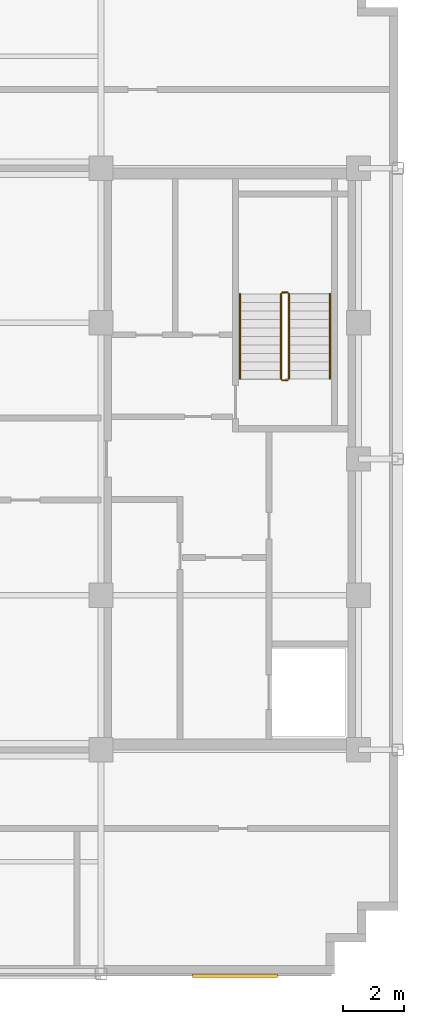
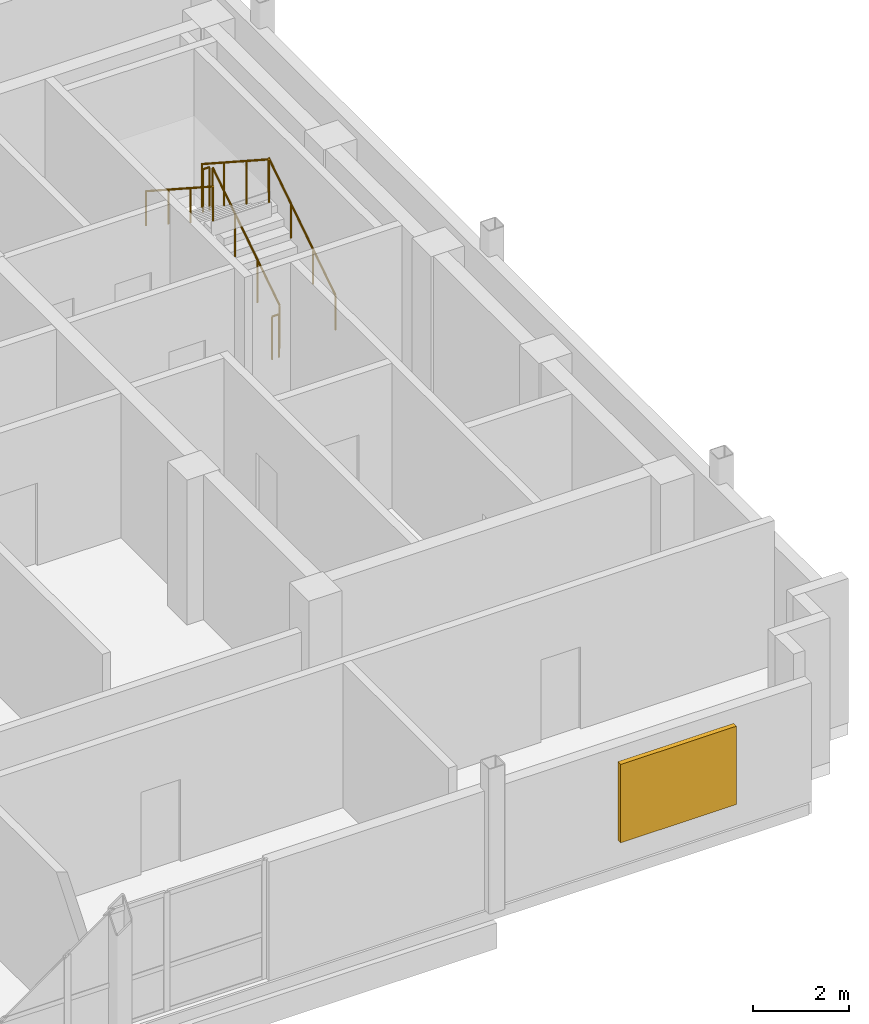
# One storey, part 9 of 10: 6 railings, 1 shading device.
"""IFC4 building model written with IfcOpenShell, lengths in metres."""

from ifc_helpers import new_model, si_unit, direction, frame, origin, origin_2d, place, context, subcontext, project, spatial, rectangle, circle, extrude, source, transform, mapped, material, type_object, type_shapes, element, save


model = new_model("IFC4")

# Units and contexts
model_context = context("Model", 3, precision=1e-05, world=origin(), true_north=direction((0.0, 1.0)))
body_context = subcontext(model_context, "Body", "Model", "MODEL_VIEW")
ifc_project = project(units=[si_unit("LENGTHUNIT", "METRE"), si_unit("AREAUNIT", "SQUARE_METRE"), si_unit("VOLUMEUNIT", "CUBIC_METRE"), si_unit("PLANEANGLEUNIT", "RADIAN"), si_unit("MASSUNIT", "GRAM", prefix="KILO")], contexts=[model_context])

# Site, building, storey
site_placement = place(None, origin())
site = spatial("IfcSite", under=ifc_project, at=site_placement, CompositionType="ELEMENT")
building_placement = place(site_placement, origin())
building = spatial("IfcBuilding", under=site, at=building_placement, Name="Nuvemarco Arch Tower", CompositionType="ELEMENT")
storey_placement = place(building_placement, frame((0.0, 0.0, 303.14990234375)))
storey = spatial("IfcBuildingStorey", under=building, at=storey_placement, Name="L80", CompositionType="ELEMENT", Elevation=303.14990234375)

# Railings
ifc_material_1 = material(Name="Brushed stainless steel handrail", Category="steel")
railing_type_1 = type_object("IfcRailingType", Name="RL-HANDRAIL-900", PredefinedType="HANDRAIL", material=ifc_material_1)
railing_1_placement = place(storey_placement, frame((16.550048828125, 2.64990234375, 0.181884765625)))
element("IfcRailing", 1, at=railing_1_placement, inside=storey, type_object=railing_type_1, Name="L80 ST-2 stair handrail 1", PredefinedType="HANDRAIL", context=body_context, shape_type="SweptSolid", body=[
    extrude(circle(Radius=0.02392578125, at=origin_2d()), frame((0.0, 0.0, 0.8759765625), z_axis=(0.0, 0.838705829183, 0.544584733623), x_axis=(-1.0, 0.0, 0.0)), (0.0, 0.0, 1.0), 3.338623046875),
    extrude(circle(Radius=0.02099609375, at=origin_2d()), origin(), (0.0, 0.0, 1.0), 0.851806640625),
    extrude(circle(Radius=0.02099609375, at=origin_2d()), frame((0.0, 0.933349609375, 0.60595703125)), (0.0, 0.0, 1.0), 0.851806640625),
    extrude(circle(Radius=0.02099609375, at=origin_2d()), frame((0.0, 1.86669921875, 1.212158203125)), (0.0, 0.0, 1.0), 0.851806640625),
    extrude(circle(Radius=0.02099609375, at=origin_2d()), frame((0.0, 2.800048828125, 1.818115234375)), (0.0, 0.0, 1.0), 0.851806640625),
])
railing_2_placement = place(storey_placement, frame((13.590087890625, 5.449951171875, 2.181884765625)))
element("IfcRailing", 2, at=railing_2_placement, inside=storey, type_object=railing_type_1, Name="L80 ST-2 stair handrail 2", PredefinedType="HANDRAIL", context=body_context, shape_type="SweptSolid", body=[
    extrude(circle(Radius=0.02392578125, at=origin_2d()), frame((0.0, 0.0, 0.8759765625), z_axis=(0.0, -0.838705829183, 0.544584733623), x_axis=(1.0, 0.0, 0.0)), (0.0, 0.0, 1.0), 3.338623046875),
    extrude(circle(Radius=0.02099609375, at=origin_2d()), origin(), (0.0, 0.0, 1.0), 0.851806640625),
    extrude(circle(Radius=0.02099609375, at=origin_2d()), frame((0.0, -0.933349609375, 0.60595703125)), (0.0, 0.0, 1.0), 0.851806640625),
    extrude(circle(Radius=0.02099609375, at=origin_2d()), frame((0.0, -1.86669921875, 1.212158203125)), (0.0, 0.0, 1.0), 0.851806640625),
    extrude(circle(Radius=0.02099609375, at=origin_2d()), frame((0.0, -2.800048828125, 1.818115234375)), (0.0, 0.0, 1.0), 0.851806640625),
])
ifc_material_2 = material(Name="Painted balustrade steel S355", Category="steel")
railing_type_2 = type_object("IfcRailingType", Name="RL-STAIR-GUARD", PredefinedType="GUARDRAIL", material=ifc_material_2)
railing_3_placement = place(storey_placement, frame((15.199951171875, 2.64990234375, 0.181884765625)))
element("IfcRailing", 3, at=railing_3_placement, inside=storey, type_object=railing_type_2, Name="L80 ST-2 stair guard 1", PredefinedType="GUARDRAIL", context=body_context, shape_type="SweptSolid", body=[
    extrude(circle(Radius=0.02392578125, at=origin_2d()), frame((0.0, 0.0, 1.09619140625), z_axis=(0.0, 0.838705829183, 0.544584733623), x_axis=(-1.0, 0.0, 0.0)), (0.0, 0.0, 1.0), 3.338623046875),
    extrude(circle(Radius=0.02099609375, at=origin_2d()), origin(), (0.0, 0.0, 1.0), 1.072021484375),
    extrude(circle(Radius=0.02099609375, at=origin_2d()), frame((0.0, 0.933349609375, 0.60595703125)), (0.0, 0.0, 1.0), 1.072021484375),
    extrude(circle(Radius=0.02099609375, at=origin_2d()), frame((0.0, 1.86669921875, 1.212158203125)), (0.0, 0.0, 1.0), 1.072021484375),
    extrude(circle(Radius=0.02099609375, at=origin_2d()), frame((0.0, 2.800048828125, 1.818115234375)), (0.0, 0.0, 1.0), 1.072021484375),
])
railing_4_placement = place(storey_placement, frame((15.14990234375, 5.5, 2.0)))
element("IfcRailing", 4, at=railing_4_placement, inside=storey, type_object=railing_type_2, Name="L80 ST-2 stair guard 2", PredefinedType="GUARDRAIL", context=body_context, shape_type="SweptSolid", body=[
    extrude(circle(Radius=0.02392578125, at=origin_2d()), frame((0.0, 0.0, 1.09619140625), z_axis=(-1.0, 0.0, 0.0), x_axis=(0.0, -1.0, 0.0)), (0.0, 0.0, 1.0), 0.159912109375),
    extrude(circle(Radius=0.02099609375, at=origin_2d()), origin(), (0.0, 0.0, 1.0), 1.072021484375),
    extrude(circle(Radius=0.02099609375, at=origin_2d()), frame((-0.159912109375, 0.0, 0.0)), (0.0, 0.0, 1.0), 1.072021484375),
])
railing_5_placement = place(storey_placement, frame((14.93994140625, 5.449951171875, 2.181884765625)))
element("IfcRailing", 5, at=railing_5_placement, inside=storey, type_object=railing_type_2, Name="L80 ST-2 stair guard 3", PredefinedType="GUARDRAIL", context=body_context, shape_type="SweptSolid", body=[
    extrude(circle(Radius=0.02392578125, at=origin_2d()), frame((0.0, 0.0, 1.09619140625), z_axis=(0.0, -0.838705829183, 0.544584733623), x_axis=(1.0, 0.0, 0.0)), (0.0, 0.0, 1.0), 3.338623046875),
    extrude(circle(Radius=0.02099609375, at=origin_2d()), origin(), (0.0, 0.0, 1.0), 1.072021484375),
    extrude(circle(Radius=0.02099609375, at=origin_2d()), frame((0.0, -0.933349609375, 0.60595703125)), (0.0, 0.0, 1.0), 1.072021484375),
    extrude(circle(Radius=0.02099609375, at=origin_2d()), frame((0.0, -1.86669921875, 1.212158203125)), (0.0, 0.0, 1.0), 1.072021484375),
    extrude(circle(Radius=0.02099609375, at=origin_2d()), frame((0.0, -2.800048828125, 1.818115234375)), (0.0, 0.0, 1.0), 1.072021484375),
])
railing_6_placement = place(storey_placement, frame((15.14990234375, 2.60009765625, 0.0)))
element("IfcRailing", 6, at=railing_6_placement, inside=storey, type_object=railing_type_2, Name="L80 ST-2 stair guard 4", PredefinedType="GUARDRAIL", context=body_context, shape_type="SweptSolid", body=[
    extrude(circle(Radius=0.02392578125, at=origin_2d()), frame((0.0, 0.0, 1.09619140625), z_axis=(-1.0, 0.0, 0.0), x_axis=(0.0, -1.0, 0.0)), (0.0, 0.0, 1.0), 0.159912109375),
    extrude(circle(Radius=0.02099609375, at=origin_2d()), origin(), (0.0, 0.0, 1.0), 1.072021484375),
    extrude(circle(Radius=0.02099609375, at=origin_2d()), frame((-0.159912109375, 0.0, 0.0)), (0.0, 0.0, 1.0), 1.072021484375),
])

# Shading device
ifc_material_3 = material(Name="Anodised aluminium 6063-T6", Category="aluminium")
shading_device_type = type_object("IfcShadingDeviceType", Name="SHD-LOUVRE-PLANT", PredefinedType="JALOUSIE", material=ifc_material_3)
shared_shape = source(origin(), body_context, "Body", "SweptSolid", [
    extrude(rectangle(XDim=2.800048828125, YDim=0.1201171875, at=origin_2d()), origin(), (0.0, 0.0, 1.0), 2.0),
])
type_shapes(shading_device_type, [shared_shape])
shading_device_placement = place(storey_placement, frame((13.425048828125, -17.054931640625, 0.650146484375), z_axis=(0.0, 0.0, 1.0), x_axis=(1.0, 0.0, 0.0)))
element("IfcShadingDevice", 7, at=shading_device_placement, inside=storey, type_object=shading_device_type, Name="L80 acoustic plant louvre panel 2", PredefinedType="JALOUSIE", context=body_context, shape_type="MappedRepresentation", body=[
    mapped(shared_shape, transform((0.0, 0.0, 0.0), scale=1.0)),
])

save(model, "model.ifc")
